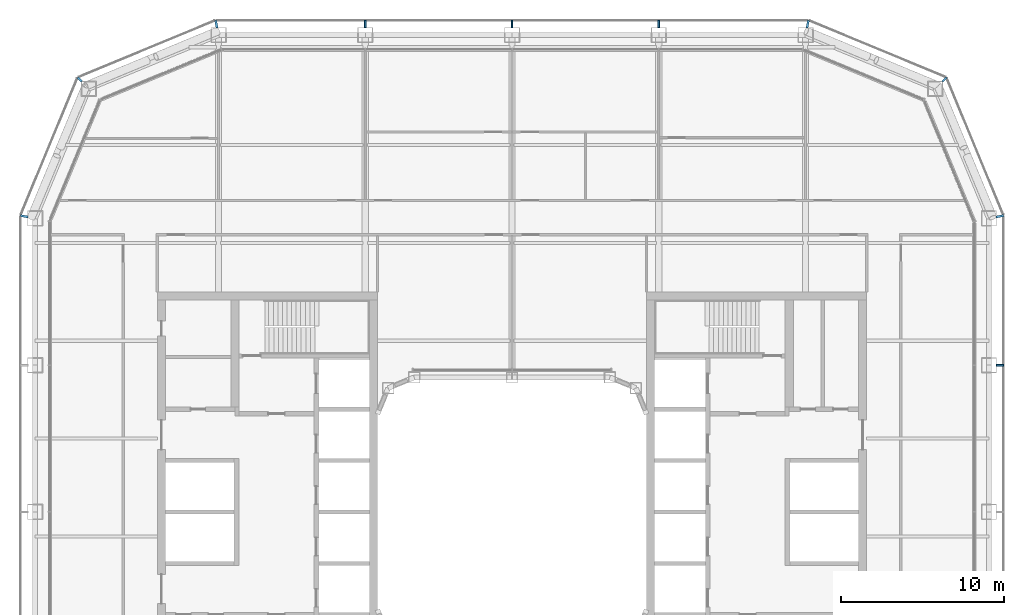
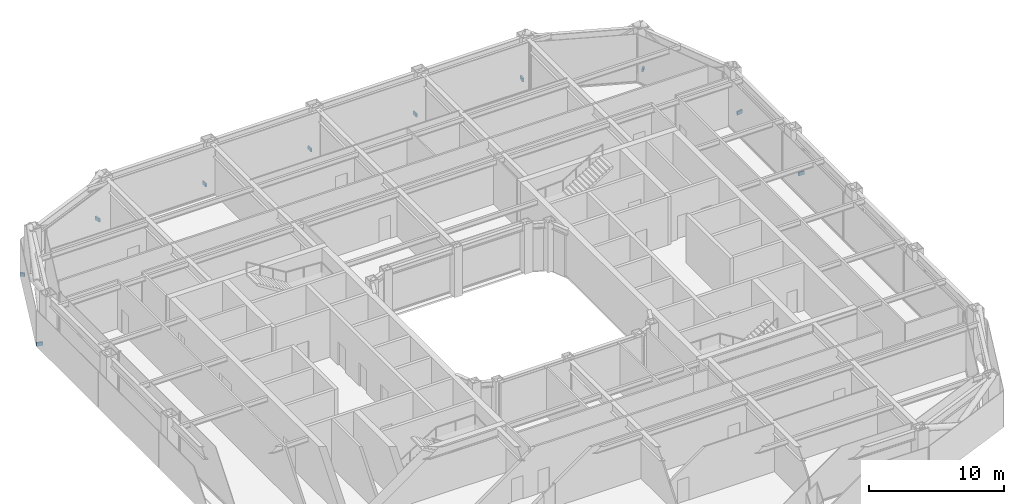
# One storey, part 16 of 21: 10 discrete accessories.
"""IFC4 building model written with IfcOpenShell, lengths in metres."""

from ifc_helpers import new_model, si_unit, direction, frame, origin, origin_2d, place, context, subcontext, project, spatial, rectangle, extrude, material, type_object, element, save


model = new_model("IFC4")

# Units and contexts
model_context = context("Model", 3, precision=1e-05, world=origin(), true_north=direction((0.0, 1.0)))
body_context = subcontext(model_context, "Body", "Model", "MODEL_VIEW")
ifc_project = project(units=[si_unit("LENGTHUNIT", "METRE"), si_unit("AREAUNIT", "SQUARE_METRE"), si_unit("VOLUMEUNIT", "CUBIC_METRE"), si_unit("PLANEANGLEUNIT", "RADIAN"), si_unit("MASSUNIT", "GRAM", prefix="KILO")], contexts=[model_context])

# Site, building, storey
site_placement = place(None, origin())
site = spatial("IfcSite", under=ifc_project, at=site_placement, CompositionType="ELEMENT")
building_placement = place(site_placement, origin())
building = spatial("IfcBuilding", under=site, at=building_placement, Name="Siwar Civic Tower", CompositionType="ELEMENT")
storey_placement = place(building_placement, frame((0.0, 0.0, 104.699951171875)))
storey = spatial("IfcBuildingStorey", under=building, at=storey_placement, Name="L22", CompositionType="ELEMENT", Elevation=104.699951171875)

# Discrete accessories
ifc_material = material(Name="Stainless steel 316", Category="steel")
discrete_accessory_type = type_object("IfcDiscreteAccessoryType", Name="ENV-BRACKET", PredefinedType="BRACKET", material=ifc_material)
for number, where, z_axis, x_axis, name in (
    (1, (29.9150390625, 9.0, -0.14990234375), (0.0, 0.0, 1.0), (1.0, 0.0, 0.0), "Bracket outer skin joint E-03"),
    (2, (9.0, 29.9150390625, -0.14990234375), (0.0, 0.0, 1.0), (0.0, 1.0, 0.0), "Bracket outer skin joint N-01"),
    (3, (0.0, 29.9150390625, -0.14990234375), (0.0, 0.0, 1.0), (0.0, 1.0, 0.0), "Bracket outer skin joint N-02"),
    (4, (-9.0, 29.9150390625, -0.14990234375), (0.0, 0.0, 1.0), (0.0, 1.0, 0.0), "Bracket outer skin joint N-03"),
):
    element("IfcDiscreteAccessory", number, at=place(storey_placement, frame(where, z_axis=z_axis, x_axis=x_axis)), inside=storey, type_object=discrete_accessory_type, Name=name, PredefinedType="BRACKET", context=body_context, shape_type="SweptSolid", body=[
        extrude(rectangle(XDim=0.469970703125, YDim=0.10009765625, at=origin_2d()), origin(), (0.0, 0.0, 1.0), 0.300048828125),
    ])
discrete_accessory_1_placement = place(storey_placement, frame((29.915283203125, 18.13232421875, -0.14990234375), z_axis=(0.0, 0.0, 1.0), x_axis=(0.980785280403, 0.195090322016, 0.0)))
element("IfcDiscreteAccessory", 5, at=discrete_accessory_1_placement, inside=storey, type_object=discrete_accessory_type, Name="Bracket outer skin joint V04", PredefinedType="BRACKET", context=body_context, shape_type="SweptSolid", body=[
    extrude(rectangle(XDim=0.478759765625, YDim=0.13720703125, at=origin_2d()), origin(), (0.0, 0.0, 1.0), 0.300048828125),
])
discrete_accessory_2_placement = place(storey_placement, frame((26.517333984375, 26.517333984375, -0.14990234375), z_axis=(0.0, 0.0, 1.0), x_axis=(0.707106781187, 0.707106781187, 0.0)))
element("IfcDiscreteAccessory", 6, at=discrete_accessory_2_placement, inside=storey, type_object=discrete_accessory_type, Name="Bracket outer skin joint V05", PredefinedType="BRACKET", context=body_context, shape_type="SweptSolid", body=[
    extrude(rectangle(XDim=0.357666015625, YDim=0.12939453125, at=origin_2d()), origin(), (0.0, 0.0, 1.0), 0.300048828125),
])
for number, where, z_axis, x_axis, name in (
    (7, (18.13232421875, 29.915283203125, -0.14990234375), (0.0, 0.0, 1.0), (0.195090322016, 0.980785280403, 0.0), "Bracket outer skin joint V06"),
    (8, (-18.13232421875, 29.915283203125, -0.14990234375), (0.0, 0.0, 1.0), (-0.195090322016, 0.980785280403, 0.0), "Bracket outer skin joint V07"),
):
    element("IfcDiscreteAccessory", number, at=place(storey_placement, frame(where, z_axis=z_axis, x_axis=x_axis)), inside=storey, type_object=discrete_accessory_type, Name=name, PredefinedType="BRACKET", context=body_context, shape_type="SweptSolid", body=[
        extrude(rectangle(XDim=0.478759765625, YDim=0.13720703125, at=origin_2d()), origin(), (0.0, 0.0, 1.0), 0.300048828125),
    ])
discrete_accessory_3_placement = place(storey_placement, frame((-26.517333984375, 26.517333984375, -0.14990234375), z_axis=(0.0, 0.0, 1.0), x_axis=(-0.707106781187, 0.707106781187, 0.0)))
element("IfcDiscreteAccessory", 9, at=discrete_accessory_3_placement, inside=storey, type_object=discrete_accessory_type, Name="Bracket outer skin joint V08", PredefinedType="BRACKET", context=body_context, shape_type="SweptSolid", body=[
    extrude(rectangle(XDim=0.357666015625, YDim=0.12939453125, at=origin_2d()), origin(), (0.0, 0.0, 1.0), 0.300048828125),
])
discrete_accessory_4_placement = place(storey_placement, frame((-29.915283203125, 18.13232421875, -0.14990234375), z_axis=(0.0, 0.0, 1.0), x_axis=(-0.980785280403, 0.195090322016, 0.0)))
element("IfcDiscreteAccessory", 10, at=discrete_accessory_4_placement, inside=storey, type_object=discrete_accessory_type, Name="Bracket outer skin joint V09", PredefinedType="BRACKET", context=body_context, shape_type="SweptSolid", body=[
    extrude(rectangle(XDim=0.478759765625, YDim=0.13720703125, at=origin_2d()), origin(), (0.0, 0.0, 1.0), 0.300048828125),
])

save(model, "model.ifc")
